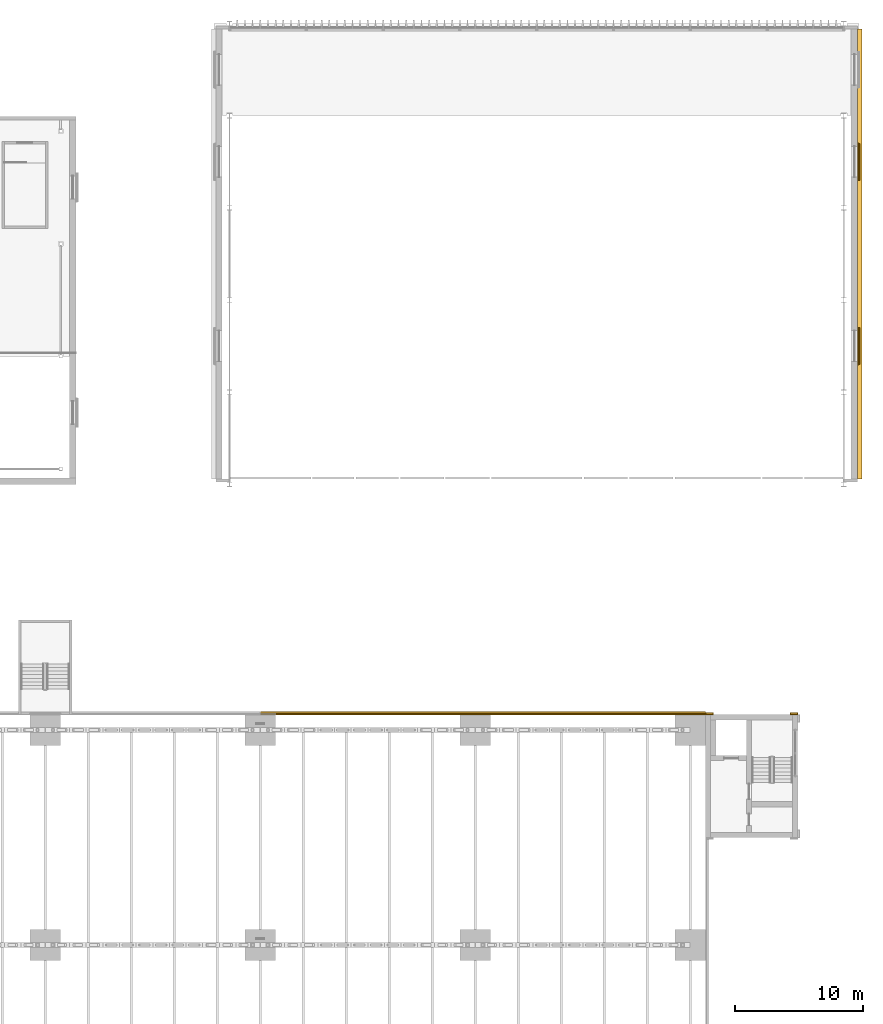
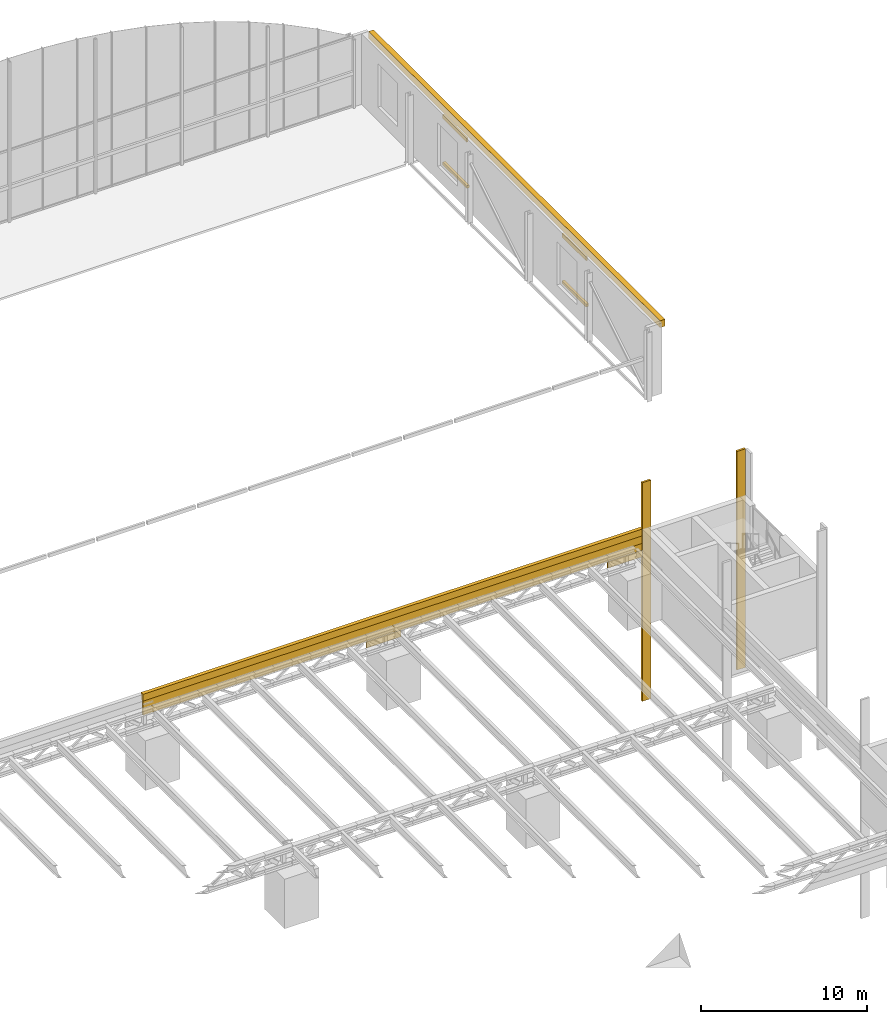
# One storey, part 91 of 93: 12 coverings.
"""IFC4 building model written with IfcOpenShell, lengths in metres."""

from ifc_helpers import new_model, si_unit, direction, frame, origin, origin_2d, place, context, subcontext, project, spatial, rectangle, extrude, material, layer, layer_set, type_object, element, save


model = new_model("IFC4")

# Units and contexts
model_context = context("Model", 3, precision=1e-05, world=origin(), true_north=direction((0.0, 1.0)))
body_context = subcontext(model_context, "Body", "Model", "MODEL_VIEW")
ifc_project = project(units=[si_unit("LENGTHUNIT", "METRE"), si_unit("AREAUNIT", "SQUARE_METRE"), si_unit("VOLUMEUNIT", "CUBIC_METRE"), si_unit("PLANEANGLEUNIT", "RADIAN"), si_unit("MASSUNIT", "GRAM", prefix="KILO")], contexts=[model_context])

# Site, building, storey
site_placement = place(None, origin())
site = spatial("IfcSite", under=ifc_project, at=site_placement, CompositionType="ELEMENT")
building_placement = place(site_placement, origin())
building = spatial("IfcBuilding", under=site, at=building_placement, Name="Verrick Yard Athletic Hall", CompositionType="ELEMENT")
storey_placement = place(building_placement, frame((0.0, 0.0, 8.800048828125)))
storey = spatial("IfcBuildingStorey", under=building, at=storey_placement, Name="L02", CompositionType="ELEMENT", Elevation=8.800048828125)

# Coverings
ifc_material_1 = material(Name="Limestone cladding", Category="masonry")
ifc_layer_1 = layer(ifc_material_1, 0.25)
ifc_layer_set_1 = layer_set([ifc_layer_1], Name="Cornice")
covering_type_1 = type_object("IfcCoveringType", Name="Cornice", PredefinedType="MOLDING", material=ifc_layer_set_1)
covering_1_placement = place(storey_placement, frame((141.41259765625, 54.125, 4.699951171875), z_axis=(0.0, 0.0, 1.0), x_axis=(1.0, 0.0, 0.0)))
element("IfcCovering", 1, at=covering_1_placement, inside=storey, type_object=covering_type_1, Name="Cornice N3", PredefinedType="MOLDING", context=body_context, shape_type="SweptSolid", body=[
    extrude(rectangle(XDim=34.77490234375, YDim=0.25, at=origin_2d()), origin(), (0.0, 0.0, 1.0), 0.5),
])
ifc_layer_2 = layer(ifc_material_1, 0.10009765625)
ifc_layer_set_2 = layer_set([ifc_layer_2], Name="Entablature band")
covering_type_2 = type_object("IfcCoveringType", Name="Entablature band", PredefinedType="CLADDING", material=ifc_layer_set_2)
covering_2_placement = place(storey_placement, frame((141.41259765625, 54.050048828125, 3.64990234375), z_axis=(0.0, 0.0, 1.0), x_axis=(1.0, 0.0, 0.0)))
element("IfcCovering", 2, at=covering_2_placement, inside=storey, type_object=covering_type_2, Name="Architrave N3", PredefinedType="CLADDING", context=body_context, shape_type="SweptSolid", body=[
    extrude(rectangle(XDim=34.77490234375, YDim=0.10009765625, at=origin_2d()), origin(), (0.0, 0.0, 1.0), 0.5),
])
covering_3_placement = place(storey_placement, frame((141.41259765625, 54.050048828125, 4.14990234375), z_axis=(0.0, 0.0, 1.0), x_axis=(1.0, 0.0, 0.0)))
element("IfcCovering", 3, at=covering_3_placement, inside=storey, type_object=covering_type_2, Name="Frieze N3", PredefinedType="CLADDING", context=body_context, shape_type="SweptSolid", body=[
    extrude(rectangle(XDim=34.77490234375, YDim=0.10009765625, at=origin_2d()), origin(), (0.0, 0.0, 1.0), 0.550048828125),
])
ifc_layer_3 = layer(ifc_material_1, 0.10009765625)
ifc_layer_set_3 = layer_set([ifc_layer_3], Name="Impost and capital moulding")
covering_type_3 = type_object("IfcCoveringType", Name="Impost and capital moulding", PredefinedType="MOLDING", material=ifc_layer_set_3)
for number, where, z_axis, x_axis, name in (
    (4, (140.800048828125, 54.050048828125, 3.14990234375), (0.0, 0.0, 1.0), (1.0, 0.0, 0.0), "Capital N7"),
    (5, (157.60009765625, 54.050048828125, 3.14990234375), (0.0, 0.0, 1.0), (1.0, 0.0, 0.0), "Capital N8"),
):
    element("IfcCovering", number, at=place(storey_placement, frame(where, z_axis=z_axis, x_axis=x_axis)), inside=storey, type_object=covering_type_3, Name=name, PredefinedType="MOLDING", context=body_context, shape_type="SweptSolid", body=[
        extrude(rectangle(XDim=2.39990234375, YDim=0.10009765625, at=origin_2d()), origin(), (0.0, 0.0, 1.0), 0.5),
    ])
ifc_material_2 = material(Name="Tyndall-stone-look precast cladding", Category="masonry")
ifc_layer_4 = layer(ifc_material_2, 0.125)
ifc_layer_set_4 = layer_set([ifc_layer_4], Name="Stone cladding")
covering_type_4 = type_object("IfcCoveringType", Name="Stone cladding", PredefinedType="CLADDING", material=ifc_layer_set_4)
for number, where, z_axis, x_axis, name in (
    (6, (159.10009765625, 54.074951171875, -7.5), (0.0, 0.0, 1.0), (1.0, 0.0, 0.0), "Block pilaster"),
    (7, (165.699951171875, 54.074951171875, -7.5), (0.0, 0.0, 1.0), (1.0, 0.0, 0.0), "Block pilaster"),
):
    element("IfcCovering", number, at=place(storey_placement, frame(where, z_axis=z_axis, x_axis=x_axis)), inside=storey, type_object=covering_type_4, Name=name, PredefinedType="CLADDING", context=body_context, shape_type="SweptSolid", body=[
        extrude(rectangle(XDim=0.60009765625, YDim=0.14990234375, at=origin_2d()), origin(), (0.0, 0.0, 1.0), 16.10009765625),
    ])
ifc_layer_5 = layer(ifc_material_2, 0.25)
ifc_layer_set_5 = layer_set([ifc_layer_5], Name="Stone moulding")
covering_type_5 = type_object("IfcCoveringType", Name="Stone moulding", PredefinedType="MOLDING", material=ifc_layer_set_5)
covering_4_placement = place(storey_placement, frame((170.85009765625, 90.0, 4.699951171875), z_axis=(0.0, 0.0, 1.0), x_axis=(0.0, 1.0, 0.0)))
element("IfcCovering", 8, at=covering_4_placement, inside=storey, type_object=covering_type_5, Name="Cornice", PredefinedType="MOLDING", context=body_context, shape_type="SweptSolid", body=[
    extrude(rectangle(XDim=35.163330078125, YDim=0.35009765625, at=origin_2d()), origin(), (0.0, 0.0, 1.0), 0.5),
])
covering_5_placement = place(storey_placement, frame((170.764892578125, 82.80078125, 0.7998046875), z_axis=(0.0, 0.0, 1.0), x_axis=(0.0, 1.0, 0.0)))
element("IfcCovering", 9, at=covering_5_placement, inside=storey, type_object=covering_type_5, Name="Window sill", PredefinedType="MOLDING", context=body_context, shape_type="SweptSolid", body=[
    extrude(rectangle(XDim=2.89990234375, YDim=0.179931640625, at=origin_2d()), origin(), (0.0, 0.0, 1.0), 0.199951171875),
])
covering_6_placement = place(storey_placement, frame((170.72509765625, 82.80078125, 4.19970703125), z_axis=(0.0, 0.0, 1.0), x_axis=(0.0, 1.0, 0.0)))
element("IfcCovering", 10, at=covering_6_placement, inside=storey, type_object=covering_type_5, Name="Window head", PredefinedType="MOLDING", context=body_context, shape_type="SweptSolid", body=[
    extrude(rectangle(XDim=2.89990234375, YDim=0.10009765625, at=origin_2d()), origin(), (0.0, 0.0, 1.0), 0.300048828125),
])
covering_7_placement = place(storey_placement, frame((170.764892578125, 97.200927734375, 0.7998046875), z_axis=(0.0, 0.0, 1.0), x_axis=(0.0, 1.0, 0.0)))
element("IfcCovering", 11, at=covering_7_placement, inside=storey, type_object=covering_type_5, Name="Window sill", PredefinedType="MOLDING", context=body_context, shape_type="SweptSolid", body=[
    extrude(rectangle(XDim=2.89990234375, YDim=0.179931640625, at=origin_2d()), origin(), (0.0, 0.0, 1.0), 0.199951171875),
])
covering_8_placement = place(storey_placement, frame((170.72509765625, 97.200927734375, 4.19970703125), z_axis=(0.0, 0.0, 1.0), x_axis=(0.0, 1.0, 0.0)))
element("IfcCovering", 12, at=covering_8_placement, inside=storey, type_object=covering_type_5, Name="Window head", PredefinedType="MOLDING", context=body_context, shape_type="SweptSolid", body=[
    extrude(rectangle(XDim=2.89990234375, YDim=0.10009765625, at=origin_2d()), origin(), (0.0, 0.0, 1.0), 0.300048828125),
])

save(model, "model.ifc")
